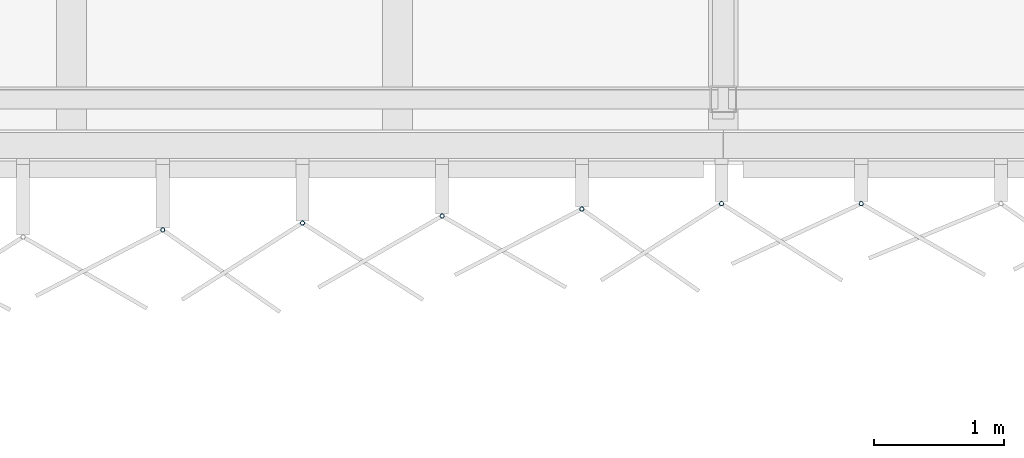
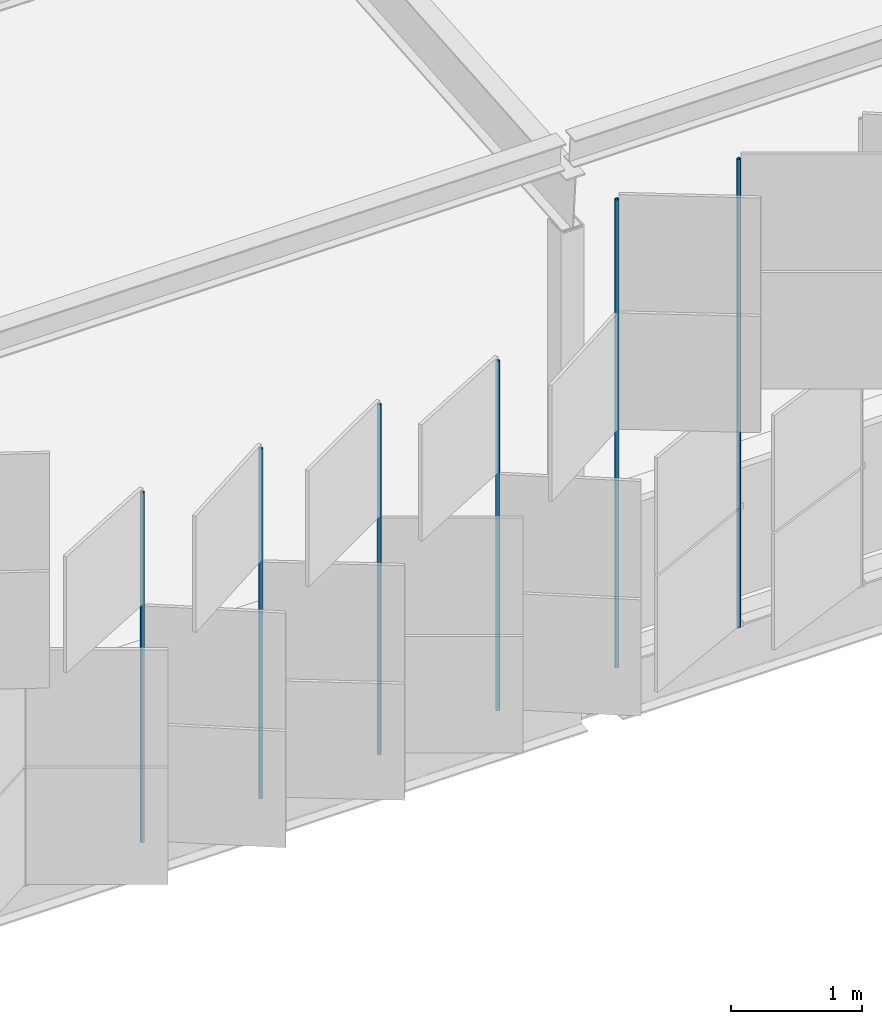
# One storey, part 137 of 483: 6 discrete accessories.
"""IFC4 building model written with IfcOpenShell, lengths in metres."""

from ifc_helpers import new_model, si_unit, direction, frame, origin, origin_2d, place, context, subcontext, project, spatial, hollow_circle, extrude, material, material_profile, profile_set, type_object, element, save


model = new_model("IFC4")

# Units and contexts
model_context = context("Model", 3, precision=1e-05, world=origin(), true_north=direction((0.0, 1.0)))
body_context = subcontext(model_context, "Body", "Model", "MODEL_VIEW")
ifc_project = project(units=[si_unit("LENGTHUNIT", "METRE"), si_unit("AREAUNIT", "SQUARE_METRE"), si_unit("VOLUMEUNIT", "CUBIC_METRE"), si_unit("PLANEANGLEUNIT", "RADIAN"), si_unit("MASSUNIT", "GRAM", prefix="KILO")], contexts=[model_context])

# Site, building, storey
site_placement = place(None, origin())
site = spatial("IfcSite", under=ifc_project, at=site_placement, CompositionType="ELEMENT")
building_placement = place(site_placement, origin())
building = spatial("IfcBuilding", under=site, at=building_placement, Name="Parallax Yard Mobility Hub", CompositionType="ELEMENT")
storey_placement = place(building_placement, frame((0.0, 0.0, 13.199951171875)))
storey = spatial("IfcBuildingStorey", under=building, at=storey_placement, Name="L04", CompositionType="ELEMENT", Elevation=13.199951171875)

# Discrete accessories
ifc_material = material(Name="Steel ASTM A500 Gr C, hot-dip galvanised", Category="steel")
ifc_material_profile = material_profile(ifc_material, hollow_circle(Radius=0.016845703125, WallThickness=0.003173828125, at=origin_2d()), Name="CHS 33.7x3.2")
ifc_profile_set = profile_set([ifc_material_profile], Name="Steel ASTM A500 Gr C, hot-dip galvanised")
discrete_accessory_type = type_object("IfcDiscreteAccessoryType", Name="Hinge post CHS 33.7x3.2", PredefinedType="BRACKET", material=ifc_profile_set)
for number, where, z_axis, x_axis, name in (
    (1, (40.7001953125, 111.998291015625, 0.0), (0.0, 0.0, 1.0), (1.0, 0.0, 0.0), "Hinge post bay 2.4 level L04"),
    (2, (41.771728515625, 112.0517578125, 0.0), (0.0, 0.0, 1.0), (1.0, 0.0, 0.0), "Hinge post bay 2.5 level L04"),
    (3, (42.84326171875, 112.10546875, 0.0), (0.0, 0.0, 1.0), (1.0, 0.0, 0.0), "Hinge post bay 2.6 level L04"),
    (4, (43.914794921875, 112.158935546875, 0.0), (0.0, 0.0, 1.0), (1.0, 0.0, 0.0), "Hinge post bay 2.7 level L04"),
):
    element("IfcDiscreteAccessory", number, at=place(storey_placement, frame(where, z_axis=z_axis, x_axis=x_axis)), inside=storey, type_object=discrete_accessory_type, Name=name, PredefinedType="BRACKET", context=body_context, shape_type="SweptSolid", body=[
        extrude(hollow_circle(Radius=0.016845703125, WallThickness=0.003173828125, at=origin_2d()), origin(), (0.0, 0.0, 1.0), 3.25),
    ])
for number, where, z_axis, x_axis, name in (
    (5, (44.986328125, 112.199951171875, 0.0), (0.0, 0.0, 1.0), (1.0, 0.0, 0.0), "Hinge post bay 3.1 level L04"),
    (6, (46.057861328125, 112.199951171875, 0.0), (0.0, 0.0, 1.0), (1.0, 0.0, 0.0), "Hinge post bay 3.2 level L04"),
):
    element("IfcDiscreteAccessory", number, at=place(storey_placement, frame(where, z_axis=z_axis, x_axis=x_axis)), inside=storey, type_object=discrete_accessory_type, Name=name, PredefinedType="BRACKET", context=body_context, shape_type="SweptSolid", body=[
        extrude(hollow_circle(Radius=0.016845703125, WallThickness=0.003173828125, at=origin_2d()), origin(), (0.0, 0.0, 1.0), 4.35009765625),
    ])

save(model, "model.ifc")
